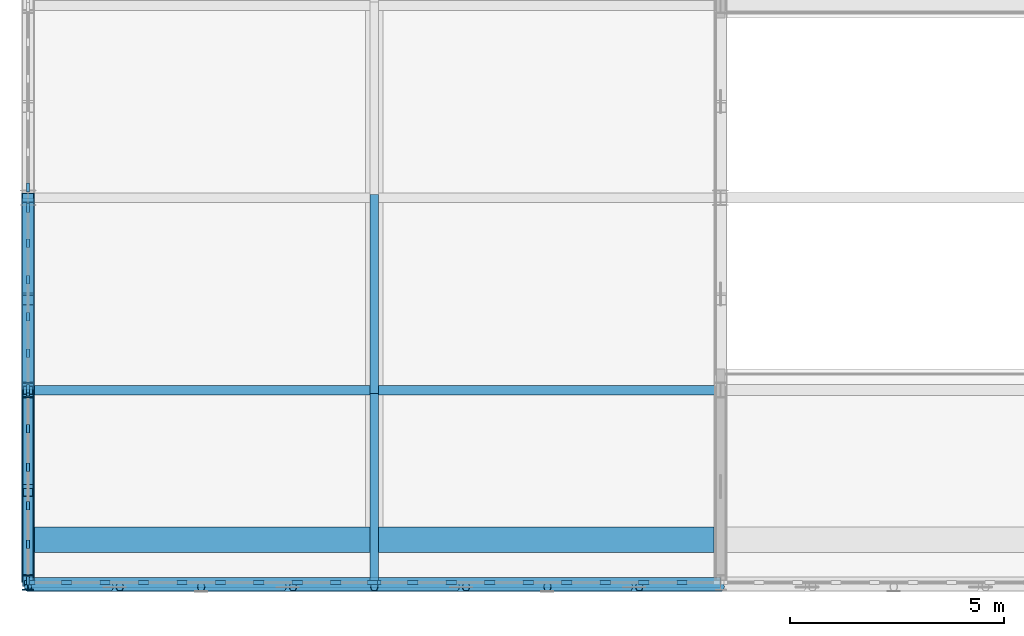
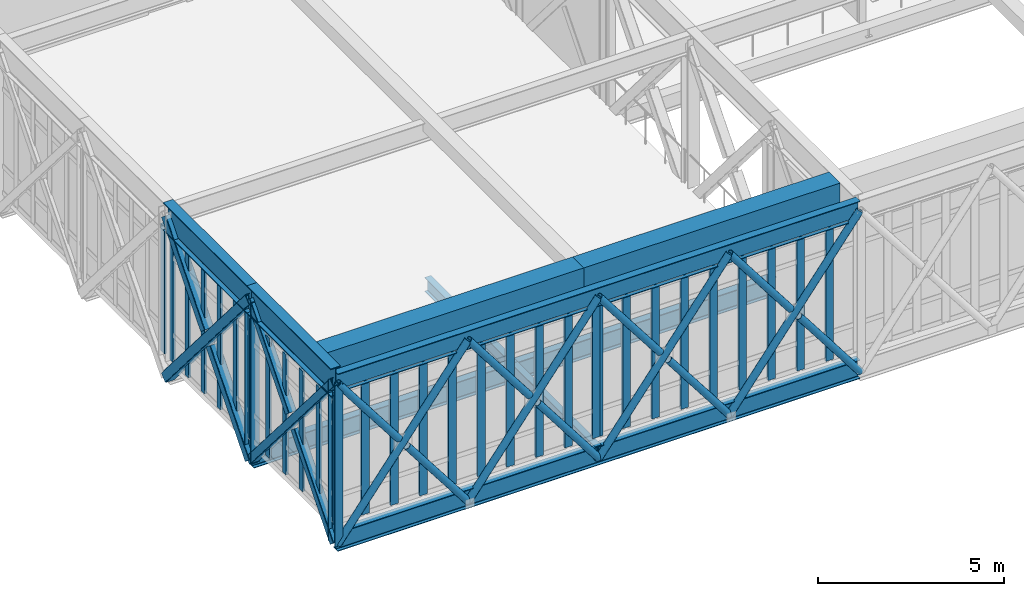
# One storey, part 11 of 70: 52 members, 9 beams, 5 elements without a shape of their own.
"""IFC4 building model written with IfcOpenShell, lengths in metres."""

from ifc_helpers import new_model, si_unit, direction, frame, origin, origin_2d, place, context, subcontext, project, spatial, rectangle, hollow_rectangle, hollow_circle, i_section, extrude, material, material_profile, profile_set, type_object, element, aggregate, save


model = new_model("IFC4")

# Units and contexts
model_context = context("Model", 3, precision=1e-05, world=origin(), true_north=direction((0.0, 1.0)))
body_context = subcontext(model_context, "Body", "Model", "MODEL_VIEW")
ifc_project = project(units=[si_unit("LENGTHUNIT", "METRE"), si_unit("AREAUNIT", "SQUARE_METRE"), si_unit("VOLUMEUNIT", "CUBIC_METRE"), si_unit("PLANEANGLEUNIT", "RADIAN"), si_unit("MASSUNIT", "GRAM", prefix="KILO")], contexts=[model_context])

# Site, building, storey
site_placement = place(None, origin())
site = spatial("IfcSite", under=ifc_project, at=site_placement, CompositionType="ELEMENT")
building_placement = place(site_placement, origin())
building = spatial("IfcBuilding", under=site, at=building_placement, Name="Tarnveldt Square Police Headquarters", CompositionType="ELEMENT")
storey_placement = place(building_placement, frame((0.0, 0.0, 19.800048828125)))
storey = spatial("IfcBuildingStorey", under=building, at=storey_placement, Name="L04", CompositionType="ELEMENT", Elevation=19.800048828125)

# Beams
ifc_material_1 = material(Name="Steel 350W", Category="steel")
ifc_material_profile_1 = material_profile(ifc_material_1, i_section(OverallWidth=0.305908203125, OverallDepth=0.9189453125, WebThickness=0.017333984375, FlangeThickness=0.02783203125, FilletRadius=0.02392578125, at=origin_2d()), Name="W920x253")
ifc_profile_set_1 = profile_set([ifc_material_profile_1], Name="Steel 350W")
beam_type_1 = type_object("IfcBeamType", Name="BM-CT-TOP", PredefinedType="BEAM", material=ifc_profile_set_1)
for number, where, z_axis, x_axis, name in (
    (1, (8.10009765625, 16.0, 4.640380859375), (0.0, -1.0, 0.0), (1.0, 0.0, 0.0), "Cantilever Truss CT-1 Top Chord 5"),
    (2, (8.10009765625, 11.5, 4.640380859375), (0.0, -1.0, 0.0), (1.0, 0.0, 0.0), "Cantilever Truss CT-1 Top Chord 6"),
):
    element("IfcBeam", number, at=place(storey_placement, frame(where, z_axis=z_axis, x_axis=x_axis)), inside=storey, type_object=beam_type_1, Name=name, PredefinedType="BEAM", context=body_context, shape_type="SweptSolid", body=[
        extrude(i_section(OverallWidth=0.305908203125, OverallDepth=0.9189453125, WebThickness=0.017333984375, FlangeThickness=0.02783203125, FilletRadius=0.02392578125, at=origin_2d()), origin(), (0.0, 0.0, 1.0), 4.5),
    ])
ifc_material_2 = material(Name="Concrete 50 MPa", Category="concrete")
ifc_material_profile_2 = material_profile(ifc_material_2, rectangle(XDim=0.60009765625, YDim=1.0, at=origin_2d()), Name="RC-B600x1000")
ifc_profile_set_2 = profile_set([ifc_material_profile_2], Name="Concrete 50 MPa")
beam_type_2 = type_object("IfcBeamType", Name="BM-RC600x1000", PredefinedType="BEAM", material=ifc_profile_set_2)
beam_1_placement = place(storey_placement, frame((8.10009765625, 8.0, 4.599853515625), z_axis=(1.0, 0.0, 0.0), x_axis=(0.0, 1.0, 0.0)))
element("IfcBeam", 3, at=beam_1_placement, inside=storey, type_object=beam_type_2, Name="Command and Control Room Springing Edge Ring Beam S1", PredefinedType="BEAM", context=body_context, shape_type="SweptSolid", body=[
    extrude(rectangle(XDim=0.60009765625, YDim=1.0, at=origin_2d()), origin(), (0.0, 0.0, 1.0), 8.099853515625),
])
beam_2_placement = place(storey_placement, frame((16.199951171875, 8.0, 4.599853515625), z_axis=(1.0, 0.0, 0.0), x_axis=(0.0, 1.0, 0.0)))
element("IfcBeam", 4, at=beam_2_placement, inside=storey, type_object=beam_type_2, Name="Command and Control Room Springing Edge Ring Beam S2", PredefinedType="BEAM", context=body_context, shape_type="SweptSolid", body=[
    extrude(rectangle(XDim=0.60009765625, YDim=1.0, at=origin_2d()), origin(), (0.0, 0.0, 1.0), 7.949951171875),
])
ifc_material_profile_3 = material_profile(ifc_material_1, i_section(OverallWidth=0.19189453125, OverallDepth=0.462890625, WebThickness=0.010498046875, FlangeThickness=0.017578125, FilletRadius=0.01806640625, at=origin_2d()), Name="W460x89")
ifc_profile_set_3 = profile_set([ifc_material_profile_3], Name="Steel 350W")
beam_type_3 = type_object("IfcBeamType", Name="BM-W460x89", PredefinedType="BEAM", material=ifc_profile_set_3)
for number, where, z_axis, x_axis, name in (
    (5, (16.199951171875, 16.080078125, -0.491455078125), (0.0, -1.0, 0.0), (1.0, 0.0, 0.0), "Lantern L04 Secondary Beam 16.4"),
    (6, (16.199951171875, 11.580078125, -0.491455078125), (0.0, -1.0, 0.0), (1.0, 0.0, 0.0), "Lantern L04 Secondary Beam 16.5"),
):
    element("IfcBeam", number, at=place(storey_placement, frame(where, z_axis=z_axis, x_axis=x_axis)), inside=storey, type_object=beam_type_3, Name=name, PredefinedType="BEAM", context=body_context, shape_type="SweptSolid", body=[
        extrude(i_section(OverallWidth=0.19189453125, OverallDepth=0.462890625, WebThickness=0.010498046875, FlangeThickness=0.017578125, FilletRadius=0.01806640625, at=origin_2d()), origin(), (0.0, 0.0, 1.0), 4.66015625),
    ])
ifc_material_profile_4 = material_profile(ifc_material_1, i_section(OverallWidth=0.22900390625, OverallDepth=0.612060546875, WebThickness=0.011962890625, FlangeThickness=0.01953125, FilletRadius=0.01904296875, at=origin_2d()), Name="W610x125")
ifc_profile_set_4 = profile_set([ifc_material_profile_4], Name="Steel 350W")
beam_type_4 = type_object("IfcBeamType", Name="BM-W610x125", PredefinedType="BEAM", material=ifc_profile_set_4)
for number, where, z_axis, x_axis, name in (
    (7, (8.10009765625, 11.5, -0.566162109375), (1.0, 0.0, 0.0), (0.0, 1.0, 0.0), "Command Lantern L04 Transverse Girder 1.5"),
    (8, (8.10009765625, 7.0, -0.566162109375), (1.0, 0.0, 0.0), (0.0, 1.0, 0.0), "Command Lantern L04 Transverse Girder 1.6"),
    (9, (8.10009765625, 7.0, 4.640380859375), (1.0, 0.0, 0.0), (0.0, 1.0, 0.0), "Command Lantern Roof Ring Girder 1.6"),
):
    element("IfcBeam", number, at=place(storey_placement, frame(where, z_axis=z_axis, x_axis=x_axis)), inside=storey, type_object=beam_type_4, Name=name, PredefinedType="BEAM", context=body_context, shape_type="SweptSolid", body=[
        extrude(i_section(OverallWidth=0.22900390625, OverallDepth=0.612060546875, WebThickness=0.011962890625, FlangeThickness=0.01953125, FilletRadius=0.01904296875, at=origin_2d()), origin(), (0.0, 0.0, 1.0), 16.199951171875),
    ])

# Curtain wall, members
ifc_material_3 = material(Name="Triple-glazed low-e laminated vision glass", Category="glass")
curtain_wall_type_1 = type_object("IfcCurtainWallType", Name="CW-LT-450x395", PredefinedType="USERDEFINED", material=ifc_material_3)
curtain_wall_1_placement = place(storey_placement, origin())
curtain_wall_1 = element("IfcCurtainWall", 10, at=curtain_wall_1_placement, inside=storey, type_object=curtain_wall_type_1, Name="L04 Curtain Wall CW-L04-050", ObjectType="GLAZED CURTAIN WALL", PredefinedType="USERDEFINED")
ifc_material_4 = material(Name="Thermally broken anodised aluminium 6063-T6", Category="aluminium")
ifc_material_profile_5 = material_profile(ifc_material_4, rectangle(XDim=0.074951171875, YDim=0.199951171875, at=origin_2d()), Name="CW-M75x200")
ifc_profile_set_5 = profile_set([ifc_material_profile_5], Name="Thermally broken anodised aluminium 6063-T6")
member_type_1 = type_object("IfcMemberType", Name="CWM-75x200", PredefinedType="MULLION", material=ifc_profile_set_5)
member_1_placement = place(storey_placement, frame((8.10009765625, 7.03759765625, 0.0), z_axis=(0.0, 0.0, 1.0), x_axis=(-1.0, 0.0, 0.0)))
member_1 = element("IfcMember", 11, at=member_1_placement, type_object=member_type_1, Name="CW-LT20 mullion 1", PredefinedType="MULLION", context=body_context, shape_type="SweptSolid", body=[
    extrude(rectangle(XDim=0.074951171875, YDim=0.199951171875, at=origin_2d()), origin(), (0.0, 0.0, 1.0), 3.951904296875),
])
member_2_placement = place(storey_placement, frame((8.10009765625, 7.89990234375, 0.0), z_axis=(0.0, 0.0, 1.0), x_axis=(-1.0, 0.0, 0.0)))
member_2 = element("IfcMember", 12, at=member_2_placement, type_object=member_type_1, Name="CW-LT20 mullion 2", PredefinedType="MULLION", context=body_context, shape_type="SweptSolid", body=[
    extrude(rectangle(XDim=0.074951171875, YDim=0.199951171875, at=origin_2d()), origin(), (0.0, 0.0, 1.0), 3.951904296875),
])
member_3_placement = place(storey_placement, frame((8.10009765625, 8.800048828125, 0.0), z_axis=(0.0, 0.0, 1.0), x_axis=(-1.0, 0.0, 0.0)))
member_3 = element("IfcMember", 13, at=member_3_placement, type_object=member_type_1, Name="CW-LT20 mullion 3", PredefinedType="MULLION", context=body_context, shape_type="SweptSolid", body=[
    extrude(rectangle(XDim=0.074951171875, YDim=0.199951171875, at=origin_2d()), origin(), (0.0, 0.0, 1.0), 3.951904296875),
])
member_4_placement = place(storey_placement, frame((8.10009765625, 9.699951171875, 0.0), z_axis=(0.0, 0.0, 1.0), x_axis=(-1.0, 0.0, 0.0)))
member_4 = element("IfcMember", 14, at=member_4_placement, type_object=member_type_1, Name="CW-LT20 mullion 4", PredefinedType="MULLION", context=body_context, shape_type="SweptSolid", body=[
    extrude(rectangle(XDim=0.074951171875, YDim=0.199951171875, at=origin_2d()), origin(), (0.0, 0.0, 1.0), 3.951904296875),
])
member_5_placement = place(storey_placement, frame((8.10009765625, 10.60009765625, 0.0), z_axis=(0.0, 0.0, 1.0), x_axis=(-1.0, 0.0, 0.0)))
member_5 = element("IfcMember", 15, at=member_5_placement, type_object=member_type_1, Name="CW-LT20 mullion 5", PredefinedType="MULLION", context=body_context, shape_type="SweptSolid", body=[
    extrude(rectangle(XDim=0.074951171875, YDim=0.199951171875, at=origin_2d()), origin(), (0.0, 0.0, 1.0), 3.951904296875),
])
member_6_placement = place(storey_placement, frame((8.10009765625, 11.46240234375, 0.0), z_axis=(0.0, 0.0, 1.0), x_axis=(-1.0, 0.0, 0.0)))
member_6 = element("IfcMember", 16, at=member_6_placement, type_object=member_type_1, Name="CW-LT20 mullion 6", PredefinedType="MULLION", context=body_context, shape_type="SweptSolid", body=[
    extrude(rectangle(XDim=0.074951171875, YDim=0.199951171875, at=origin_2d()), origin(), (0.0, 0.0, 1.0), 3.951904296875),
])
aggregate(curtain_wall_1, [member_1, member_2, member_3, member_4, member_5, member_6])

curtain_wall_type_2 = type_object("IfcCurtainWallType", Name="CW-LT-430x417", PredefinedType="USERDEFINED", material=ifc_material_3)
curtain_wall_2_placement = place(storey_placement, origin())
curtain_wall_2 = element("IfcCurtainWall", 17, at=curtain_wall_2_placement, inside=storey, type_object=curtain_wall_type_2, Name="L04 Curtain Wall CW-L04-051", ObjectType="GLAZED CURTAIN WALL", PredefinedType="USERDEFINED")
member_7_placement = place(storey_placement, frame((8.10009765625, 11.53759765625, 0.0), z_axis=(0.0, 0.0, 1.0), x_axis=(-1.0, 0.0, 0.0)))
member_7 = element("IfcMember", 18, at=member_7_placement, type_object=member_type_1, Name="CW-LT21 mullion 1", PredefinedType="MULLION", context=body_context, shape_type="SweptSolid", body=[
    extrude(rectangle(XDim=0.074951171875, YDim=0.199951171875, at=origin_2d()), origin(), (0.0, 0.0, 1.0), 4.1728515625),
])
member_8_placement = place(storey_placement, frame((8.10009765625, 12.359619140625, 0.0), z_axis=(0.0, 0.0, 1.0), x_axis=(-1.0, 0.0, 0.0)))
member_8 = element("IfcMember", 19, at=member_8_placement, type_object=member_type_1, Name="CW-LT21 mullion 2", PredefinedType="MULLION", context=body_context, shape_type="SweptSolid", body=[
    extrude(rectangle(XDim=0.074951171875, YDim=0.199951171875, at=origin_2d()), origin(), (0.0, 0.0, 1.0), 4.1728515625),
])
member_9_placement = place(storey_placement, frame((8.10009765625, 13.21923828125, 0.0), z_axis=(0.0, 0.0, 1.0), x_axis=(-1.0, 0.0, 0.0)))
member_9 = element("IfcMember", 20, at=member_9_placement, type_object=member_type_1, Name="CW-LT21 mullion 3", PredefinedType="MULLION", context=body_context, shape_type="SweptSolid", body=[
    extrude(rectangle(XDim=0.074951171875, YDim=0.199951171875, at=origin_2d()), origin(), (0.0, 0.0, 1.0), 4.1728515625),
])
member_10_placement = place(storey_placement, frame((8.10009765625, 14.078857421875, 0.0), z_axis=(0.0, 0.0, 1.0), x_axis=(-1.0, 0.0, 0.0)))
member_10 = element("IfcMember", 21, at=member_10_placement, type_object=member_type_1, Name="CW-LT21 mullion 4", PredefinedType="MULLION", context=body_context, shape_type="SweptSolid", body=[
    extrude(rectangle(XDim=0.074951171875, YDim=0.199951171875, at=origin_2d()), origin(), (0.0, 0.0, 1.0), 4.1728515625),
])
member_11_placement = place(storey_placement, frame((8.10009765625, 14.9384765625, 0.0), z_axis=(0.0, 0.0, 1.0), x_axis=(-1.0, 0.0, 0.0)))
member_11 = element("IfcMember", 22, at=member_11_placement, type_object=member_type_1, Name="CW-LT21 mullion 5", PredefinedType="MULLION", context=body_context, shape_type="SweptSolid", body=[
    extrude(rectangle(XDim=0.074951171875, YDim=0.199951171875, at=origin_2d()), origin(), (0.0, 0.0, 1.0), 4.1728515625),
])
member_12_placement = place(storey_placement, frame((8.10009765625, 15.760498046875, 0.0), z_axis=(0.0, 0.0, 1.0), x_axis=(-1.0, 0.0, 0.0)))
member_12 = element("IfcMember", 23, at=member_12_placement, type_object=member_type_1, Name="CW-LT21 mullion 6", PredefinedType="MULLION", context=body_context, shape_type="SweptSolid", body=[
    extrude(rectangle(XDim=0.074951171875, YDim=0.199951171875, at=origin_2d()), origin(), (0.0, 0.0, 1.0), 4.1728515625),
])
aggregate(curtain_wall_2, [member_7, member_8, member_9, member_10, member_11, member_12])

# Curtain wall, member
curtain_wall_3_placement = place(storey_placement, origin())
curtain_wall_3 = element("IfcCurtainWall", 24, at=curtain_wall_3_placement, inside=storey, type_object=curtain_wall_type_2, Name="L04 Curtain Wall CW-L04-052", ObjectType="GLAZED CURTAIN WALL", PredefinedType="USERDEFINED")
member_13_placement = place(storey_placement, frame((8.10009765625, 16.239501953125, 0.0), z_axis=(0.0, 0.0, 1.0), x_axis=(-1.0, 0.0, 0.0)))
member_13 = element("IfcMember", 25, at=member_13_placement, type_object=member_type_1, Name="CW-LT21 mullion 1", PredefinedType="MULLION", context=body_context, shape_type="SweptSolid", body=[
    extrude(rectangle(XDim=0.074951171875, YDim=0.199951171875, at=origin_2d()), origin(), (0.0, 0.0, 1.0), 4.1728515625),
])
aggregate(curtain_wall_3, [member_13])

# Curtain wall, members
ifc_material_5 = material(Name="UL 752 Level III laminated ballistic vision glass", Category="glass")
curtain_wall_type_3 = type_object("IfcCurtainWallType", Name="CW-BL-810x433", PredefinedType="USERDEFINED", material=ifc_material_5)
curtain_wall_4_placement = place(storey_placement, origin())
curtain_wall_4 = element("IfcCurtainWall", 26, at=curtain_wall_4_placement, inside=storey, type_object=curtain_wall_type_3, Name="L04 Curtain Wall CW-L04-040", ObjectType="BALLISTIC CURTAIN WALL", PredefinedType="USERDEFINED")
ifc_material_profile_6 = material_profile(ifc_material_4, rectangle(XDim=0.0849609375, YDim=0.239990234375, at=origin_2d()), Name="CW-M85x240")
ifc_profile_set_6 = profile_set([ifc_material_profile_6], Name="Thermally broken anodised aluminium 6063-T6")
member_type_2 = type_object("IfcMemberType", Name="CWM-85x240", PredefinedType="MULLION", material=ifc_profile_set_6)
member_14_placement = place(storey_placement, frame((8.142578125, 7.0, 0.0), z_axis=(0.0, 0.0, 1.0), x_axis=(0.0, 1.0, 0.0)))
member_14 = element("IfcMember", 27, at=member_14_placement, type_object=member_type_2, Name="CW-BL17 mullion 1", PredefinedType="MULLION", context=body_context, shape_type="SweptSolid", body=[
    extrude(rectangle(XDim=0.0849609375, YDim=0.239990234375, at=origin_2d()), origin(), (0.0, 0.0, 1.0), 4.326416015625),
])
member_15_placement = place(storey_placement, frame((9.0, 7.0, 0.0), z_axis=(0.0, 0.0, 1.0), x_axis=(0.0, 1.0, 0.0)))
member_15 = element("IfcMember", 28, at=member_15_placement, type_object=member_type_2, Name="CW-BL17 mullion 2", PredefinedType="MULLION", context=body_context, shape_type="SweptSolid", body=[
    extrude(rectangle(XDim=0.0849609375, YDim=0.239990234375, at=origin_2d()), origin(), (0.0, 0.0, 1.0), 4.326416015625),
])
member_16_placement = place(storey_placement, frame((9.89990234375, 7.0, 0.0), z_axis=(0.0, 0.0, 1.0), x_axis=(0.0, 1.0, 0.0)))
member_16 = element("IfcMember", 29, at=member_16_placement, type_object=member_type_2, Name="CW-BL17 mullion 3", PredefinedType="MULLION", context=body_context, shape_type="SweptSolid", body=[
    extrude(rectangle(XDim=0.0849609375, YDim=0.239990234375, at=origin_2d()), origin(), (0.0, 0.0, 1.0), 4.326416015625),
])
member_17_placement = place(storey_placement, frame((10.800048828125, 7.0, 0.0), z_axis=(0.0, 0.0, 1.0), x_axis=(0.0, 1.0, 0.0)))
member_17 = element("IfcMember", 30, at=member_17_placement, type_object=member_type_2, Name="CW-BL17 mullion 4", PredefinedType="MULLION", context=body_context, shape_type="SweptSolid", body=[
    extrude(rectangle(XDim=0.0849609375, YDim=0.239990234375, at=origin_2d()), origin(), (0.0, 0.0, 1.0), 4.326416015625),
])
member_18_placement = place(storey_placement, frame((11.699951171875, 7.0, 0.0), z_axis=(0.0, 0.0, 1.0), x_axis=(0.0, 1.0, 0.0)))
member_18 = element("IfcMember", 31, at=member_18_placement, type_object=member_type_2, Name="CW-BL17 mullion 5", PredefinedType="MULLION", context=body_context, shape_type="SweptSolid", body=[
    extrude(rectangle(XDim=0.0849609375, YDim=0.239990234375, at=origin_2d()), origin(), (0.0, 0.0, 1.0), 4.326416015625),
])
member_19_placement = place(storey_placement, frame((12.60009765625, 7.0, 0.0), z_axis=(0.0, 0.0, 1.0), x_axis=(0.0, 1.0, 0.0)))
member_19 = element("IfcMember", 32, at=member_19_placement, type_object=member_type_2, Name="CW-BL17 mullion 6", PredefinedType="MULLION", context=body_context, shape_type="SweptSolid", body=[
    extrude(rectangle(XDim=0.0849609375, YDim=0.239990234375, at=origin_2d()), origin(), (0.0, 0.0, 1.0), 4.326416015625),
])
member_20_placement = place(storey_placement, frame((13.5, 7.0, 0.0), z_axis=(0.0, 0.0, 1.0), x_axis=(0.0, 1.0, 0.0)))
member_20 = element("IfcMember", 33, at=member_20_placement, type_object=member_type_2, Name="CW-BL17 mullion 7", PredefinedType="MULLION", context=body_context, shape_type="SweptSolid", body=[
    extrude(rectangle(XDim=0.0849609375, YDim=0.239990234375, at=origin_2d()), origin(), (0.0, 0.0, 1.0), 4.326416015625),
])
member_21_placement = place(storey_placement, frame((14.39990234375, 7.0, 0.0), z_axis=(0.0, 0.0, 1.0), x_axis=(0.0, 1.0, 0.0)))
member_21 = element("IfcMember", 34, at=member_21_placement, type_object=member_type_2, Name="CW-BL17 mullion 8", PredefinedType="MULLION", context=body_context, shape_type="SweptSolid", body=[
    extrude(rectangle(XDim=0.0849609375, YDim=0.239990234375, at=origin_2d()), origin(), (0.0, 0.0, 1.0), 4.326416015625),
])
member_22_placement = place(storey_placement, frame((15.300048828125, 7.0, 0.0), z_axis=(0.0, 0.0, 1.0), x_axis=(0.0, 1.0, 0.0)))
member_22 = element("IfcMember", 35, at=member_22_placement, type_object=member_type_2, Name="CW-BL17 mullion 9", PredefinedType="MULLION", context=body_context, shape_type="SweptSolid", body=[
    extrude(rectangle(XDim=0.0849609375, YDim=0.239990234375, at=origin_2d()), origin(), (0.0, 0.0, 1.0), 4.326416015625),
])
member_23_placement = place(storey_placement, frame((16.157470703125, 7.0, 0.0), z_axis=(0.0, 0.0, 1.0), x_axis=(0.0, 1.0, 0.0)))
member_23 = element("IfcMember", 36, at=member_23_placement, type_object=member_type_2, Name="CW-BL17 mullion 10", PredefinedType="MULLION", context=body_context, shape_type="SweptSolid", body=[
    extrude(rectangle(XDim=0.0849609375, YDim=0.239990234375, at=origin_2d()), origin(), (0.0, 0.0, 1.0), 4.326416015625),
])
aggregate(curtain_wall_4, [member_14, member_15, member_16, member_17, member_18, member_19, member_20, member_21, member_22, member_23])

curtain_wall_5_placement = place(storey_placement, origin())
curtain_wall_5 = element("IfcCurtainWall", 37, at=curtain_wall_5_placement, inside=storey, type_object=curtain_wall_type_3, Name="L04 Curtain Wall CW-L04-041", ObjectType="BALLISTIC CURTAIN WALL", PredefinedType="USERDEFINED")
member_24_placement = place(storey_placement, frame((16.242431640625, 7.0, 0.0), z_axis=(0.0, 0.0, 1.0), x_axis=(0.0, 1.0, 0.0)))
member_24 = element("IfcMember", 38, at=member_24_placement, type_object=member_type_2, Name="CW-BL17 mullion 1", PredefinedType="MULLION", context=body_context, shape_type="SweptSolid", body=[
    extrude(rectangle(XDim=0.0849609375, YDim=0.239990234375, at=origin_2d()), origin(), (0.0, 0.0, 1.0), 4.326416015625),
])
member_25_placement = place(storey_placement, frame((17.10009765625, 7.0, 0.0), z_axis=(0.0, 0.0, 1.0), x_axis=(0.0, 1.0, 0.0)))
member_25 = element("IfcMember", 39, at=member_25_placement, type_object=member_type_2, Name="CW-BL17 mullion 2", PredefinedType="MULLION", context=body_context, shape_type="SweptSolid", body=[
    extrude(rectangle(XDim=0.0849609375, YDim=0.239990234375, at=origin_2d()), origin(), (0.0, 0.0, 1.0), 4.326416015625),
])
member_26_placement = place(storey_placement, frame((18.0, 7.0, 0.0), z_axis=(0.0, 0.0, 1.0), x_axis=(0.0, 1.0, 0.0)))
member_26 = element("IfcMember", 40, at=member_26_placement, type_object=member_type_2, Name="CW-BL17 mullion 3", PredefinedType="MULLION", context=body_context, shape_type="SweptSolid", body=[
    extrude(rectangle(XDim=0.0849609375, YDim=0.239990234375, at=origin_2d()), origin(), (0.0, 0.0, 1.0), 4.326416015625),
])
member_27_placement = place(storey_placement, frame((18.89990234375, 7.0, 0.0), z_axis=(0.0, 0.0, 1.0), x_axis=(0.0, 1.0, 0.0)))
member_27 = element("IfcMember", 41, at=member_27_placement, type_object=member_type_2, Name="CW-BL17 mullion 4", PredefinedType="MULLION", context=body_context, shape_type="SweptSolid", body=[
    extrude(rectangle(XDim=0.0849609375, YDim=0.239990234375, at=origin_2d()), origin(), (0.0, 0.0, 1.0), 4.326416015625),
])
member_28_placement = place(storey_placement, frame((19.800048828125, 7.0, 0.0), z_axis=(0.0, 0.0, 1.0), x_axis=(0.0, 1.0, 0.0)))
member_28 = element("IfcMember", 42, at=member_28_placement, type_object=member_type_2, Name="CW-BL17 mullion 5", PredefinedType="MULLION", context=body_context, shape_type="SweptSolid", body=[
    extrude(rectangle(XDim=0.0849609375, YDim=0.239990234375, at=origin_2d()), origin(), (0.0, 0.0, 1.0), 4.326416015625),
])
member_29_placement = place(storey_placement, frame((20.699951171875, 7.0, 0.0), z_axis=(0.0, 0.0, 1.0), x_axis=(0.0, 1.0, 0.0)))
member_29 = element("IfcMember", 43, at=member_29_placement, type_object=member_type_2, Name="CW-BL17 mullion 6", PredefinedType="MULLION", context=body_context, shape_type="SweptSolid", body=[
    extrude(rectangle(XDim=0.0849609375, YDim=0.239990234375, at=origin_2d()), origin(), (0.0, 0.0, 1.0), 4.326416015625),
])
member_30_placement = place(storey_placement, frame((21.60009765625, 7.0, 0.0), z_axis=(0.0, 0.0, 1.0), x_axis=(0.0, 1.0, 0.0)))
member_30 = element("IfcMember", 44, at=member_30_placement, type_object=member_type_2, Name="CW-BL17 mullion 7", PredefinedType="MULLION", context=body_context, shape_type="SweptSolid", body=[
    extrude(rectangle(XDim=0.0849609375, YDim=0.239990234375, at=origin_2d()), origin(), (0.0, 0.0, 1.0), 4.326416015625),
])
member_31_placement = place(storey_placement, frame((22.5, 7.0, 0.0), z_axis=(0.0, 0.0, 1.0), x_axis=(0.0, 1.0, 0.0)))
member_31 = element("IfcMember", 45, at=member_31_placement, type_object=member_type_2, Name="CW-BL17 mullion 8", PredefinedType="MULLION", context=body_context, shape_type="SweptSolid", body=[
    extrude(rectangle(XDim=0.0849609375, YDim=0.239990234375, at=origin_2d()), origin(), (0.0, 0.0, 1.0), 4.326416015625),
])
member_32_placement = place(storey_placement, frame((23.39990234375, 7.0, 0.0), z_axis=(0.0, 0.0, 1.0), x_axis=(0.0, 1.0, 0.0)))
member_32 = element("IfcMember", 46, at=member_32_placement, type_object=member_type_2, Name="CW-BL17 mullion 9", PredefinedType="MULLION", context=body_context, shape_type="SweptSolid", body=[
    extrude(rectangle(XDim=0.0849609375, YDim=0.239990234375, at=origin_2d()), origin(), (0.0, 0.0, 1.0), 4.326416015625),
])
aggregate(curtain_wall_5, [member_24, member_25, member_26, member_27, member_28, member_29, member_30, member_31, member_32])

# Members
ifc_material_profile_7 = material_profile(ifc_material_1, i_section(OverallWidth=0.257080078125, OverallDepth=0.363037109375, WebThickness=0.012939453125, FlangeThickness=0.021728515625, FilletRadius=0.01611328125, at=origin_2d()), Name="W360x122")
ifc_profile_set_7 = profile_set([ifc_material_profile_7], Name="Steel 350W")
member_type_3 = type_object("IfcMemberType", Name="MEM-CT-POST", PredefinedType="STRUT", material=ifc_profile_set_7)
for number, where, z_axis, x_axis, name in (
    (47, (8.10009765625, 11.5, -0.64306640625), (0.0, 0.0, 1.0), (1.0, 0.0, 0.0), "Cantilever Truss CT-1 L04 Post 6"),
    (48, (8.10009765625, 7.0, -0.64306640625), (0.0, 0.0, 1.0), (1.0, 0.0, 0.0), "Cantilever Truss CT-1 L04 Post 7"),
):
    element("IfcMember", number, at=place(storey_placement, frame(where, z_axis=z_axis, x_axis=x_axis)), inside=storey, type_object=member_type_3, Name=name, PredefinedType="STRUT", context=body_context, shape_type="SweptSolid", body=[
        extrude(i_section(OverallWidth=0.257080078125, OverallDepth=0.363037109375, WebThickness=0.012939453125, FlangeThickness=0.021728515625, FilletRadius=0.01611328125, at=origin_2d()), origin(), (0.0, 0.0, 1.0), 5.283447265625),
    ])
ifc_material_profile_8 = material_profile(ifc_material_1, hollow_rectangle(XDim=0.3046875, YDim=0.3046875, WallThickness=0.015869140625, InnerFilletRadius=0.015869140625, OuterFilletRadius=0.03173828125, at=origin_2d()), Name="HSS305x305x16")
ifc_profile_set_8 = profile_set([ifc_material_profile_8], Name="Steel 350W")
member_type_4 = type_object("IfcMemberType", Name="MEM-CT-WEB1", PredefinedType="BRACE", material=ifc_profile_set_8)
member_33_placement = place(storey_placement, frame((8.10009765625, 16.0, -0.64306640625), z_axis=(0.0, -0.648406807061, 0.761294038173), x_axis=(1.0, 0.0, 0.0)))
element("IfcMember", 49, at=member_33_placement, inside=storey, type_object=member_type_4, Name="Cantilever Truss CT-1 L04 Web A5", PredefinedType="BRACE", context=body_context, shape_type="SweptSolid", body=[
    extrude(hollow_rectangle(XDim=0.3046875, YDim=0.3046875, WallThickness=0.015869140625, InnerFilletRadius=0.015869140625, OuterFilletRadius=0.03173828125, at=origin_2d()), origin(), (0.0, 0.0, 1.0), 6.940185546875),
])
member_34_placement = place(storey_placement, frame((8.10009765625, 11.5, -0.64306640625), z_axis=(0.0, 0.648400353561, 0.761299534678), x_axis=(-1.0, 0.0, 0.0)))
element("IfcMember", 50, at=member_34_placement, inside=storey, type_object=member_type_4, Name="Cantilever Truss CT-1 L04 Web B5 Lower", PredefinedType="BRACE", context=body_context, shape_type="SweptSolid", body=[
    extrude(hollow_rectangle(XDim=0.3046875, YDim=0.3046875, WallThickness=0.015869140625, InnerFilletRadius=0.015869140625, OuterFilletRadius=0.03173828125, at=origin_2d()), origin(), (0.0, 0.0, 1.0), 3.250244140625),
])
member_35_placement = place(storey_placement, frame((8.10009765625, 13.892578125, 2.166259765625), z_axis=(0.0, 0.648437434135, 0.761267951521), x_axis=(-1.0, 0.0, 0.0)))
element("IfcMember", 51, at=member_35_placement, inside=storey, type_object=member_type_4, Name="Cantilever Truss CT-1 L04 Web B5 Upper", PredefinedType="BRACE", context=body_context, shape_type="SweptSolid", body=[
    extrude(hollow_rectangle(XDim=0.3046875, YDim=0.3046875, WallThickness=0.015869140625, InnerFilletRadius=0.015869140625, OuterFilletRadius=0.03173828125, at=origin_2d()), origin(), (0.0, 0.0, 1.0), 3.25),
])
ifc_material_profile_9 = material_profile(ifc_material_1, hollow_rectangle(XDim=0.25390625, YDim=0.25390625, WallThickness=0.0126953125, InnerFilletRadius=0.0126953125, OuterFilletRadius=0.025390625, at=origin_2d()), Name="HSS254x254x13")
ifc_profile_set_9 = profile_set([ifc_material_profile_9], Name="Steel 350W")
member_type_5 = type_object("IfcMemberType", Name="MEM-CT-WEB2", PredefinedType="BRACE", material=ifc_profile_set_9)
member_36_placement = place(storey_placement, frame((8.10009765625, 11.5, -0.64306640625), z_axis=(0.0, -0.648406807061, 0.761294038173), x_axis=(1.0, 0.0, 0.0)))
element("IfcMember", 52, at=member_36_placement, inside=storey, type_object=member_type_5, Name="Cantilever Truss CT-1 L04 Web A6", PredefinedType="BRACE", context=body_context, shape_type="SweptSolid", body=[
    extrude(hollow_rectangle(XDim=0.25390625, YDim=0.25390625, WallThickness=0.0126953125, InnerFilletRadius=0.0126953125, OuterFilletRadius=0.025390625, at=origin_2d()), origin(), (0.0, 0.0, 1.0), 6.940185546875),
])
member_37_placement = place(storey_placement, frame((8.10009765625, 7.0, -0.64306640625), z_axis=(0.0, 0.648400353561, 0.761299534678), x_axis=(-1.0, 0.0, 0.0)))
element("IfcMember", 53, at=member_37_placement, inside=storey, type_object=member_type_5, Name="Cantilever Truss CT-1 L04 Web B6 Lower", PredefinedType="BRACE", context=body_context, shape_type="SweptSolid", body=[
    extrude(hollow_rectangle(XDim=0.25390625, YDim=0.25390625, WallThickness=0.0126953125, InnerFilletRadius=0.0126953125, OuterFilletRadius=0.025390625, at=origin_2d()), origin(), (0.0, 0.0, 1.0), 3.250244140625),
])
member_38_placement = place(storey_placement, frame((8.10009765625, 9.392578125, 2.166259765625), z_axis=(0.0, 0.648437434135, 0.761267951521), x_axis=(-1.0, 0.0, 0.0)))
element("IfcMember", 54, at=member_38_placement, inside=storey, type_object=member_type_5, Name="Cantilever Truss CT-1 L04 Web B6 Upper", PredefinedType="BRACE", context=body_context, shape_type="SweptSolid", body=[
    extrude(hollow_rectangle(XDim=0.25390625, YDim=0.25390625, WallThickness=0.0126953125, InnerFilletRadius=0.0126953125, OuterFilletRadius=0.025390625, at=origin_2d()), origin(), (0.0, 0.0, 1.0), 3.25),
])
ifc_material_profile_10 = material_profile(ifc_material_1, hollow_circle(Radius=0.109619140625, WallThickness=0.010986328125, at=origin_2d()), Name="HSS219x11")
ifc_profile_set_10 = profile_set([ifc_material_profile_10], Name="Steel 350W")
member_type_6 = type_object("IfcMemberType", Name="MEM-LT-DIAG2", PredefinedType="BRACE", material=ifc_profile_set_10)
member_39_placement = place(storey_placement, frame((8.10009765625, 6.89990234375, -0.64306640625), z_axis=(0.608352238036, 0.0, 0.793667155977), x_axis=(0.0, 1.0, 0.0)))
element("IfcMember", 55, at=member_39_placement, inside=storey, type_object=member_type_6, Name="Command Lantern S Steel Lattice Brace 1.1A", PredefinedType="BRACE", context=body_context, shape_type="SweptSolid", body=[
    extrude(hollow_circle(Radius=0.109619140625, WallThickness=0.010986328125, at=origin_2d()), origin(), (0.0, 0.0, 1.0), 6.656982421875),
])
member_40_placement = place(storey_placement, frame((12.14990234375, 6.89990234375, -0.64306640625), z_axis=(-0.608344715413, 0.0, 0.793672922071), x_axis=(0.0, -1.0, 0.0)))
element("IfcMember", 56, at=member_40_placement, inside=storey, type_object=member_type_6, Name="Command Lantern S Steel Lattice Brace 1.1B Lower", PredefinedType="BRACE", context=body_context, shape_type="SweptSolid", body=[
    extrude(hollow_circle(Radius=0.109619140625, WallThickness=0.010986328125, at=origin_2d()), origin(), (0.0, 0.0, 1.0), 3.128662109375),
])
member_41_placement = place(storey_placement, frame((10.00341796875, 6.89990234375, 2.157470703125), z_axis=(-0.608382393445, 0.0, 0.793644040705), x_axis=(0.0, -1.0, 0.0)))
element("IfcMember", 57, at=member_41_placement, inside=storey, type_object=member_type_6, Name="Command Lantern S Steel Lattice Brace 1.1B Upper", PredefinedType="BRACE", context=body_context, shape_type="SweptSolid", body=[
    extrude(hollow_circle(Radius=0.109619140625, WallThickness=0.010986328125, at=origin_2d()), origin(), (0.0, 0.0, 1.0), 3.12841796875),
])
member_42_placement = place(storey_placement, frame((12.14990234375, 6.89990234375, -0.64306640625), z_axis=(0.608375338642, 0.0, 0.793649448644), x_axis=(0.0, 1.0, 0.0)))
element("IfcMember", 58, at=member_42_placement, inside=storey, type_object=member_type_6, Name="Command Lantern S Steel Lattice Brace 1.2A", PredefinedType="BRACE", context=body_context, shape_type="SweptSolid", body=[
    extrude(hollow_circle(Radius=0.109619140625, WallThickness=0.010986328125, at=origin_2d()), origin(), (0.0, 0.0, 1.0), 6.6572265625),
])
member_43_placement = place(storey_placement, frame((16.199951171875, 6.89990234375, -0.64306640625), z_axis=(-0.608344715413, 0.0, 0.793672922071), x_axis=(0.0, -1.0, 0.0)))
element("IfcMember", 59, at=member_43_placement, inside=storey, type_object=member_type_6, Name="Command Lantern S Steel Lattice Brace 1.2B Lower", PredefinedType="BRACE", context=body_context, shape_type="SweptSolid", body=[
    extrude(hollow_circle(Radius=0.109619140625, WallThickness=0.010986328125, at=origin_2d()), origin(), (0.0, 0.0, 1.0), 3.128662109375),
])
member_44_placement = place(storey_placement, frame((14.05322265625, 6.89990234375, 2.157470703125), z_axis=(-0.608382393445, 0.0, 0.793644040705), x_axis=(0.0, -1.0, 0.0)))
element("IfcMember", 60, at=member_44_placement, inside=storey, type_object=member_type_6, Name="Command Lantern S Steel Lattice Brace 1.2B Upper", PredefinedType="BRACE", context=body_context, shape_type="SweptSolid", body=[
    extrude(hollow_circle(Radius=0.109619140625, WallThickness=0.010986328125, at=origin_2d()), origin(), (0.0, 0.0, 1.0), 3.12841796875),
])
member_45_placement = place(storey_placement, frame((16.199951171875, 6.89990234375, -0.64306640625), z_axis=(0.608375338642, 0.0, 0.793649448644), x_axis=(0.0, 1.0, 0.0)))
element("IfcMember", 61, at=member_45_placement, inside=storey, type_object=member_type_6, Name="Command Lantern S Steel Lattice Brace 2.1A", PredefinedType="BRACE", context=body_context, shape_type="SweptSolid", body=[
    extrude(hollow_circle(Radius=0.109619140625, WallThickness=0.010986328125, at=origin_2d()), origin(), (0.0, 0.0, 1.0), 6.6572265625),
])
member_46_placement = place(storey_placement, frame((20.25, 6.89990234375, -0.64306640625), z_axis=(-0.608344715413, 0.0, 0.793672922071), x_axis=(0.0, -1.0, 0.0)))
element("IfcMember", 62, at=member_46_placement, inside=storey, type_object=member_type_6, Name="Command Lantern S Steel Lattice Brace 2.1B Lower", PredefinedType="BRACE", context=body_context, shape_type="SweptSolid", body=[
    extrude(hollow_circle(Radius=0.109619140625, WallThickness=0.010986328125, at=origin_2d()), origin(), (0.0, 0.0, 1.0), 3.128662109375),
])
member_47_placement = place(storey_placement, frame((18.103271484375, 6.89990234375, 2.157470703125), z_axis=(-0.608382393445, 0.0, 0.793644040705), x_axis=(0.0, -1.0, 0.0)))
element("IfcMember", 63, at=member_47_placement, inside=storey, type_object=member_type_6, Name="Command Lantern S Steel Lattice Brace 2.1B Upper", PredefinedType="BRACE", context=body_context, shape_type="SweptSolid", body=[
    extrude(hollow_circle(Radius=0.109619140625, WallThickness=0.010986328125, at=origin_2d()), origin(), (0.0, 0.0, 1.0), 3.12841796875),
])
member_48_placement = place(storey_placement, frame((20.25, 6.89990234375, -0.64306640625), z_axis=(0.608375338642, 0.0, 0.793649448644), x_axis=(0.0, 1.0, 0.0)))
element("IfcMember", 64, at=member_48_placement, inside=storey, type_object=member_type_6, Name="Command Lantern S Steel Lattice Brace 2.2A", PredefinedType="BRACE", context=body_context, shape_type="SweptSolid", body=[
    extrude(hollow_circle(Radius=0.109619140625, WallThickness=0.010986328125, at=origin_2d()), origin(), (0.0, 0.0, 1.0), 6.6572265625),
])
member_49_placement = place(storey_placement, frame((24.300048828125, 6.89990234375, -0.64306640625), z_axis=(-0.608344715413, 0.0, 0.793672922071), x_axis=(0.0, -1.0, 0.0)))
element("IfcMember", 65, at=member_49_placement, inside=storey, type_object=member_type_6, Name="Command Lantern S Steel Lattice Brace 2.2B Lower", PredefinedType="BRACE", context=body_context, shape_type="SweptSolid", body=[
    extrude(hollow_circle(Radius=0.109619140625, WallThickness=0.010986328125, at=origin_2d()), origin(), (0.0, 0.0, 1.0), 3.128662109375),
])
member_50_placement = place(storey_placement, frame((22.1533203125, 6.89990234375, 2.157470703125), z_axis=(-0.608382393445, 0.0, 0.793644040705), x_axis=(0.0, -1.0, 0.0)))
element("IfcMember", 66, at=member_50_placement, inside=storey, type_object=member_type_6, Name="Command Lantern S Steel Lattice Brace 2.2B Upper", PredefinedType="BRACE", context=body_context, shape_type="SweptSolid", body=[
    extrude(hollow_circle(Radius=0.109619140625, WallThickness=0.010986328125, at=origin_2d()), origin(), (0.0, 0.0, 1.0), 3.12841796875),
])

save(model, "model.ifc")
